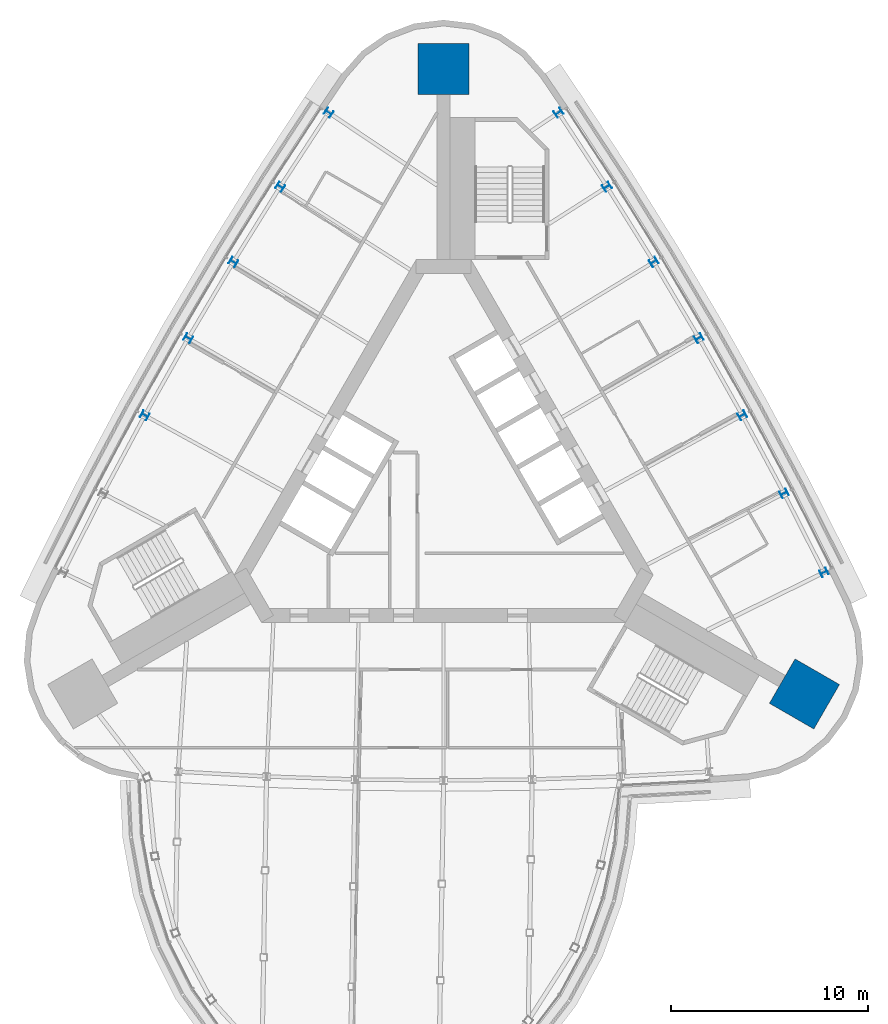
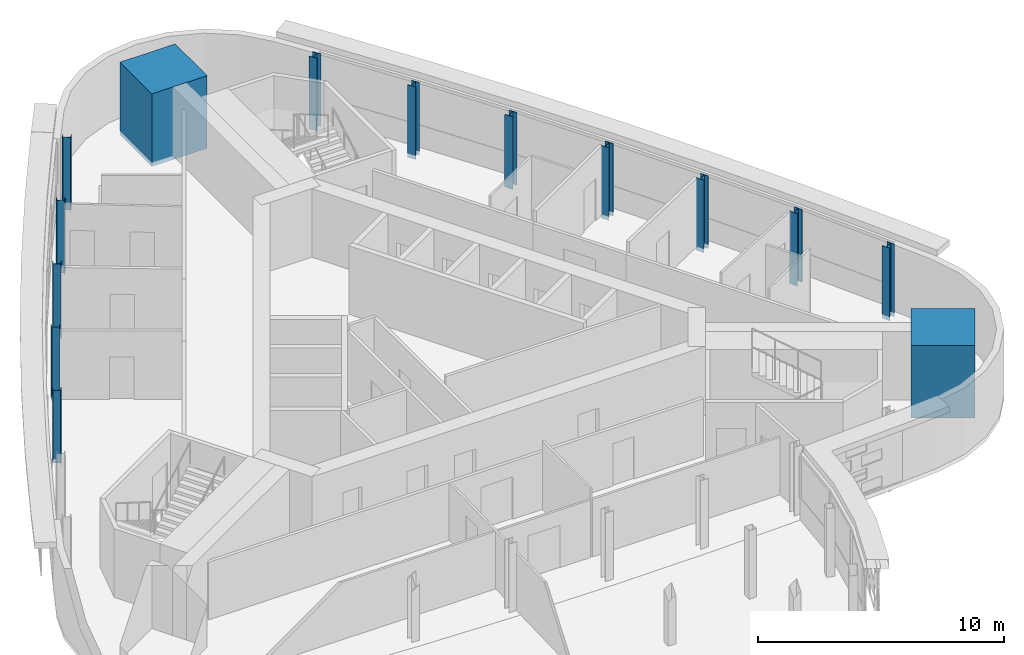
# One storey, part 2 of 14: 14 columns.
"""IFC4 building model written with IfcOpenShell, lengths in metres."""

from ifc_helpers import new_model, si_unit, direction, frame, origin, origin_2d, place, context, subcontext, project, spatial, rectangle, i_section, extrude, material, material_profile, profile_set, type_object, element, save


model = new_model("IFC4")

# Units and contexts
model_context = context("Model", 3, precision=1e-05, world=origin(), true_north=direction((0.0, 1.0)))
body_context = subcontext(model_context, "Body", "Model", "MODEL_VIEW")
ifc_project = project(units=[si_unit("LENGTHUNIT", "METRE"), si_unit("AREAUNIT", "SQUARE_METRE"), si_unit("VOLUMEUNIT", "CUBIC_METRE"), si_unit("PLANEANGLEUNIT", "RADIAN"), si_unit("MASSUNIT", "GRAM", prefix="KILO")], contexts=[model_context])

# Site, building, storey
site_placement = place(None, origin())
site = spatial("IfcSite", under=ifc_project, at=site_placement, CompositionType="ELEMENT")
building_placement = place(site_placement, origin())
building = spatial("IfcBuilding", under=site, at=building_placement, Name="Noor Cloister Tower", CompositionType="ELEMENT")
storey_placement = place(building_placement, frame((0.0, 0.0, 218.39990234375)))
storey = spatial("IfcBuildingStorey", under=building, at=storey_placement, Name="L56", CompositionType="ELEMENT", Elevation=218.39990234375)

# Columns
ifc_material_1 = material(Name="Steel ASTM A992 Gr 50", Category="steel")
ifc_material_profile_1 = material_profile(ifc_material_1, i_section(OverallWidth=0.373046875, OverallDepth=0.367919921875, WebThickness=0.014892578125, FlangeThickness=0.02392578125, FilletRadius=0.01513671875, at=origin_2d()), Name="W360x179")
ifc_profile_set_1 = profile_set([ifc_material_profile_1], Name="Steel ASTM A992 Gr 50")
column_type_1 = type_object("IfcColumnType", Name="Column W360x179", PredefinedType="COLUMN", material=ifc_profile_set_1)
for number, where, z_axis, x_axis, name in (
    (1, (-5.8251953125, 18.89794921875, -0.199951171875), (0.0, 0.0, 1.0), (-0.556360252768, -0.830941194755, 0.0), "Column NW 01 L56"),
    (2, (-8.280517578125, 15.1416015625, -0.199951171875), (0.0, 0.0, 1.0), (-0.537833901726, -0.843050825369, 0.0), "Column NW 02 L56"),
    (3, (-10.652099609375, 11.331787109375, -0.199951171875), (0.0, 0.0, 1.0), (-0.519044082631, -0.854747471647, 0.0), "Column NW 03 L56"),
    (4, (-12.93896484375, 7.47021484375, -0.199951171875), (0.0, 0.0, 1.0), (-0.5, -0.866025403784, 0.0), "Column NW 04 L56"),
    (5, (-15.1396484375, 3.55908203125, -0.199951171875), (0.0, 0.0, 1.0), (-0.480710982951, -0.876879097065, 0.0), "Column NW 05 L56"),
    (6, (19.278564453125, -4.404296875, -0.199951171875), (0.0, 0.0, 1.0), (-0.441436057324, 0.89729270993, 0.0), "Column NE 01 L56"),
    (7, (17.253173828125, -0.399658203125, -0.199951171875), (0.0, 0.0, 1.0), (-0.461186480588, 0.887303234595, 0.0), "Column NE 02 L56"),
    (8, (15.1396484375, 3.55908203125, -0.199951171875), (0.0, 0.0, 1.0), (-0.480710982951, 0.876879097065, 0.0), "Column NE 03 L56"),
    (9, (12.93896484375, 7.47021484375, -0.199951171875), (0.0, 0.0, 1.0), (-0.5, 0.866025403784, 0.0), "Column NE 04 L56"),
    (10, (10.652099609375, 11.331787109375, -0.199951171875), (0.0, 0.0, 1.0), (-0.519044082631, 0.854747471647, 0.0), "Column NE 05 L56"),
    (11, (8.280517578125, 15.1416015625, -0.199951171875), (0.0, 0.0, 1.0), (-0.537833901726, 0.843050825369, 0.0), "Column NE 06 L56"),
    (12, (5.8251953125, 18.89794921875, -0.199951171875), (0.0, 0.0, 1.0), (-0.556360252768, 0.830941194755, 0.0), "Column NE 07 L56"),
):
    element("IfcColumn", number, at=place(storey_placement, frame(where, z_axis=z_axis, x_axis=x_axis)), inside=storey, type_object=column_type_1, Name=name, PredefinedType="COLUMN", context=body_context, shape_type="SweptSolid", body=[
        extrude(i_section(OverallWidth=0.373046875, OverallDepth=0.367919921875, WebThickness=0.014892578125, FlangeThickness=0.02392578125, FilletRadius=0.01513671875, at=origin_2d()), origin(), (0.0, 0.0, 1.0), 3.60009765625),
    ])
ifc_material_2 = material(Name="Concrete C60/75", Category="concrete")
ifc_material_profile_2 = material_profile(ifc_material_2, rectangle(XDim=2.60009765625, YDim=2.60009765625, at=origin_2d()), Name="RC 2600x2600")
ifc_profile_set_2 = profile_set([ifc_material_profile_2], Name="Concrete C60/75")
column_type_2 = type_object("IfcColumnType", Name="Corner pier 2600 x 2600 C60/75", PredefinedType="COLUMN", material=ifc_profile_set_2)
for number, where, z_axis, x_axis, name in (
    (13, (0.0, 21.114990234375, -0.199951171875), (0.0, 0.0, 1.0), (0.0, 1.0, 0.0), "Corner pier N L56"),
    (14, (18.2861328125, -10.5576171875, -0.199951171875), (0.0, 0.0, 1.0), (0.866025403784, -0.5, 0.0), "Corner pier SE L56"),
):
    element("IfcColumn", number, at=place(storey_placement, frame(where, z_axis=z_axis, x_axis=x_axis)), inside=storey, type_object=column_type_2, Name=name, PredefinedType="COLUMN", context=body_context, shape_type="SweptSolid", body=[
        extrude(rectangle(XDim=2.60009765625, YDim=2.60009765625, at=origin_2d()), origin(), (0.0, 0.0, 1.0), 3.60009765625),
    ])

save(model, "model.ifc")
